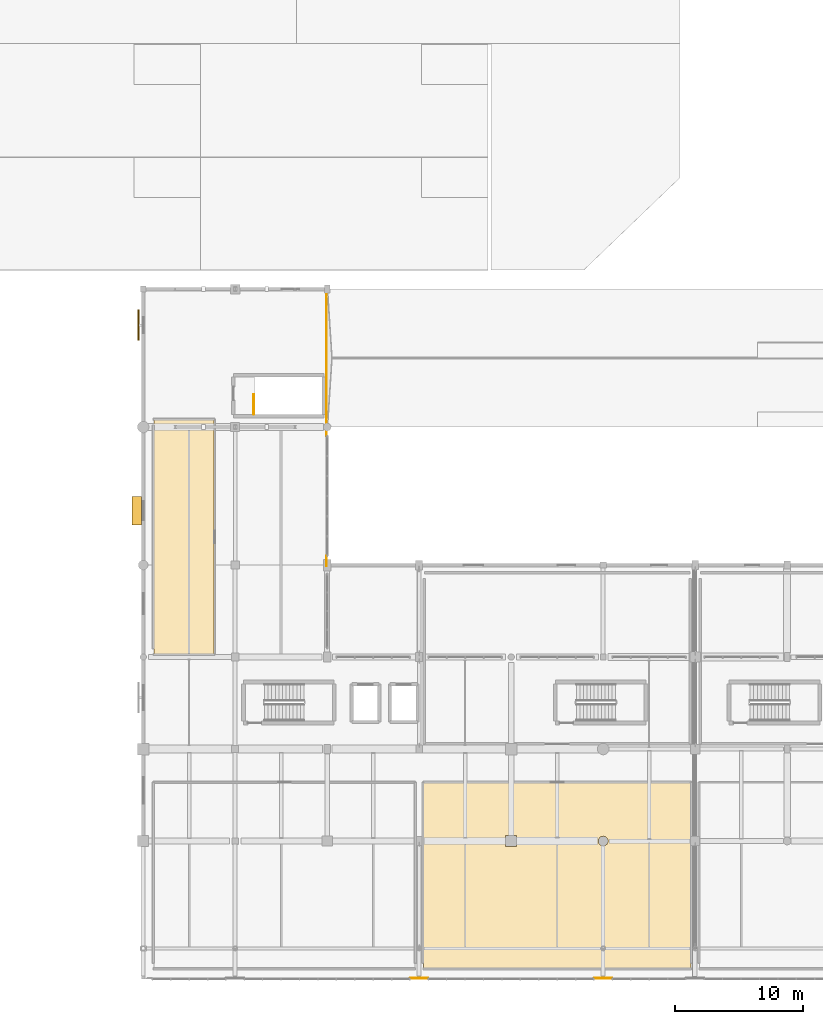
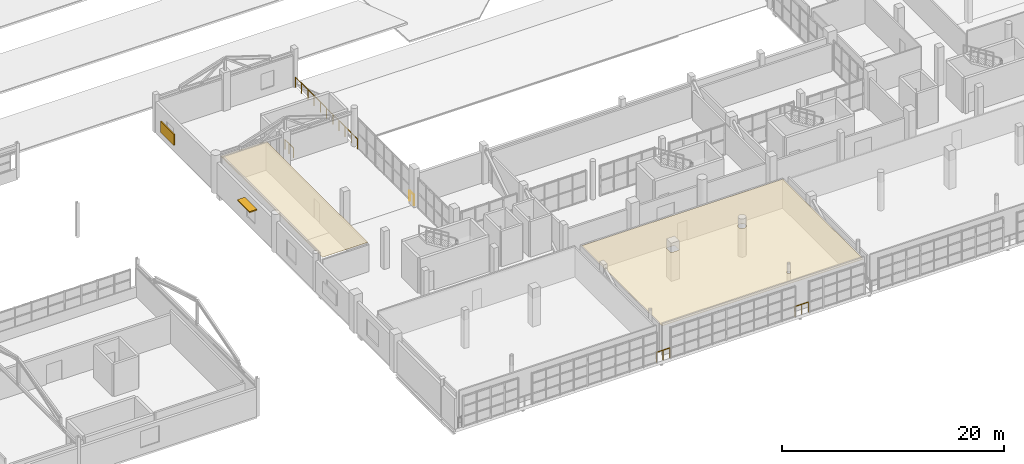
# One storey, part 84 of 90: 5 railings, 2 coverings, 2 shading devices.
"""IFC4 building model written with IfcOpenShell, lengths in metres."""

from ifc_helpers import new_model, si_unit, direction, frame, origin, origin_2d, place, context, subcontext, project, spatial, polyline, rectangle, circle, outline, extrude, material, layer, layer_set, type_object, element, save


model = new_model("IFC4")

# Units and contexts
model_context = context("Model", 3, precision=1e-05, world=origin(), true_north=direction((0.0, 1.0)))
body_context = subcontext(model_context, "Body", "Model", "MODEL_VIEW")
ifc_project = project(units=[si_unit("LENGTHUNIT", "METRE"), si_unit("AREAUNIT", "SQUARE_METRE"), si_unit("VOLUMEUNIT", "CUBIC_METRE"), si_unit("PLANEANGLEUNIT", "RADIAN"), si_unit("MASSUNIT", "GRAM", prefix="KILO")], contexts=[model_context])

# Site, building, storey
site_placement = place(None, origin())
site = spatial("IfcSite", under=ifc_project, at=site_placement, CompositionType="ELEMENT")
building_placement = place(site_placement, origin())
building = spatial("IfcBuilding", under=site, at=building_placement, Name="Solanera Park Tramway Depot", CompositionType="ELEMENT")
storey_placement = place(building_placement, frame((0.0, 0.0, 9.0)))
storey = spatial("IfcBuildingStorey", under=building, at=storey_placement, Name="L02", CompositionType="ELEMENT", Elevation=9.0)

# Coverings
ifc_material_1 = material(Name="Acoustic perforated plasterboard and mineral-fibre ceiling")
ifc_layer_1 = layer(ifc_material_1, 0.02001953125)
ifc_layer_set_1 = layer_set([ifc_layer_1], Name="Acoustic perforated plasterboard and mineral-fibre ceiling")
covering_type = type_object("IfcCoveringType", Name="Acoustic Mineral-Fibre Ceiling 20", PredefinedType="CEILING", material=ifc_layer_set_1)
covering_1_placement = place(storey_placement, frame((0.0, 0.0, 3.14990234375)))
element("IfcCovering", 1, at=covering_1_placement, inside=storey, type_object=covering_type, Name="Cantilevered Network Operations Control Theatre Acoustic Ceiling", PredefinedType="CEILING", context=body_context, shape_type="SweptSolid", body=[
    extrude(outline(polyline([(150.860107421875, 11.153076171875), (150.846923828125, 10.447021484375), (150.860107421875, 0.840087890625), (129.93994140625, 0.840087890625), (129.93994140625, 15.360107421875), (150.860107421875, 15.360107421875), (150.860107421875, 11.153076171875)]), holes=[polyline([(136.3720703125, 10.3720703125), (137.22802734375, 10.3720703125), (137.22802734375, 11.22802734375), (136.3720703125, 11.22802734375), (136.3720703125, 10.3720703125)]), polyline([(144.314208984375, 11.010009765625), (144.267333984375, 11.0673828125), (144.2099609375, 11.1142578125), (144.144775390625, 11.149169921875), (144.07373046875, 11.170654296875), (144.0, 11.177978515625), (143.92626953125, 11.170654296875), (143.855224609375, 11.149169921875), (143.7900390625, 11.1142578125), (143.732666015625, 11.0673828125), (143.685791015625, 11.010009765625), (143.65087890625, 10.944580078125), (143.62939453125, 10.873779296875), (143.6220703125, 10.800048828125), (143.62939453125, 10.726318359375), (143.65087890625, 10.6552734375), (143.685791015625, 10.590087890625), (143.732666015625, 10.53271484375), (143.7900390625, 10.485595703125), (143.855224609375, 10.45068359375), (143.92626953125, 10.42919921875), (144.0, 10.422119140625), (144.07373046875, 10.42919921875), (144.144775390625, 10.45068359375), (144.2099609375, 10.485595703125), (144.267333984375, 10.53271484375), (144.314208984375, 10.590087890625), (144.34912109375, 10.6552734375), (144.37060546875, 10.726318359375), (144.3779296875, 10.800048828125), (144.37060546875, 10.873779296875), (144.34912109375, 10.944580078125), (144.314208984375, 11.010009765625)]), polyline([(144.17724609375, 2.435302734375), (144.150390625, 2.50048828125), (144.100341796875, 2.55029296875), (144.035400390625, 2.577392578125), (143.964599609375, 2.577392578125), (143.899658203125, 2.55029296875), (143.849609375, 2.50048828125), (143.82275390625, 2.435302734375), (143.82275390625, 2.36474609375), (143.849609375, 2.299560546875), (143.899658203125, 2.249755859375), (143.964599609375, 2.22265625), (144.035400390625, 2.22265625), (144.100341796875, 2.249755859375), (144.150390625, 2.299560546875), (144.17724609375, 2.36474609375), (144.17724609375, 2.435302734375)])]), origin(), (0.0, 0.0, 1.0), 0.02001953125),
])
covering_2_placement = place(storey_placement, frame((0.0, 0.0, 3.14990234375)))
element("IfcCovering", 2, at=covering_2_placement, inside=storey, type_object=covering_type, Name="Timetabling and Network Planning Studio Acoustic Ceiling", PredefinedType="CEILING", context=body_context, shape_type="SweptSolid", body=[
    extrude(outline(polyline([(113.56005859375, 25.43994140625), (108.840087890625, 25.43994140625), (108.840087890625, 43.760009765625), (113.56005859375, 43.760009765625), (113.56005859375, 25.43994140625)])), origin(), (0.0, 0.0, 1.0), 0.02001953125),
])

# Railings
ifc_material_2 = material(Name="Powder-coated galvanised steel balustrade", Category="steel")
ifc_layer_2 = layer(ifc_material_2, 0.06005859375)
ifc_layer_set_2 = layer_set([ifc_layer_2], Name="Powder-coated galvanised steel balustrade")
railing_type_1 = type_object("IfcRailingType", Name="Classical Wrought-Style Balustrade 1120", PredefinedType="BALUSTRADE", material=ifc_layer_set_2)
railing_1_placement = place(storey_placement, frame((122.340087890625, 53.679931640625, 0.0)))
element("IfcRailing", 3, at=railing_1_placement, inside=storey, type_object=railing_type_1, Name="L02 Perimeter Deck Balustrade #034", PredefinedType="BALUSTRADE", context=body_context, shape_type="SweptSolid", body=[
    extrude(circle(Radius=0.02392578125, at=origin_2d()), frame((0.0, 0.0, 1.09619140625), z_axis=(0.0, -1.0, 0.0), x_axis=(1.0, 0.0, 0.0)), (0.0, 0.0, 1.0), 11.179931640625),
    extrude(circle(Radius=0.02099609375, at=origin_2d()), origin(), (0.0, 0.0, 1.0), 1.072021484375),
    extrude(circle(Radius=0.02099609375, at=origin_2d()), frame((0.0, -1.117919921875, 0.0)), (0.0, 0.0, 1.0), 1.072021484375),
    extrude(circle(Radius=0.02099609375, at=origin_2d()), frame((0.0, -2.236083984375, 0.0)), (0.0, 0.0, 1.0), 1.072021484375),
    extrude(circle(Radius=0.02099609375, at=origin_2d()), frame((0.0, -3.35400390625, 0.0)), (0.0, 0.0, 1.0), 1.072021484375),
    extrude(circle(Radius=0.02099609375, at=origin_2d()), frame((0.0, -4.471923828125, 0.0)), (0.0, 0.0, 1.0), 1.072021484375),
    extrude(circle(Radius=0.02099609375, at=origin_2d()), frame((0.0, -5.58984375, 0.0)), (0.0, 0.0, 1.0), 1.072021484375),
    extrude(circle(Radius=0.02099609375, at=origin_2d()), frame((0.0, -6.7080078125, 0.0)), (0.0, 0.0, 1.0), 1.072021484375),
    extrude(circle(Radius=0.02099609375, at=origin_2d()), frame((0.0, -7.825927734375, 0.0)), (0.0, 0.0, 1.0), 1.072021484375),
    extrude(circle(Radius=0.02099609375, at=origin_2d()), frame((0.0, -8.94384765625, 0.0)), (0.0, 0.0, 1.0), 1.072021484375),
    extrude(circle(Radius=0.02099609375, at=origin_2d()), frame((0.0, -10.06201171875, 0.0)), (0.0, 0.0, 1.0), 1.072021484375),
    extrude(circle(Radius=0.02099609375, at=origin_2d()), frame((0.0, -11.179931640625, 0.0)), (0.0, 0.0, 1.0), 1.072021484375),
])
railing_2_placement = place(storey_placement, frame((122.340087890625, 33.10009765625, 0.0)))
element("IfcRailing", 4, at=railing_2_placement, inside=storey, type_object=railing_type_1, Name="L02 Perimeter Deck Balustrade #035", PredefinedType="BALUSTRADE", context=body_context, shape_type="SweptSolid", body=[
    extrude(circle(Radius=0.02392578125, at=origin_2d()), frame((0.0, 0.0, 1.09619140625), z_axis=(0.0, -1.0, 0.0), x_axis=(1.0, 0.0, 0.0)), (0.0, 0.0, 1.0), 0.760009765625),
    extrude(circle(Radius=0.02099609375, at=origin_2d()), origin(), (0.0, 0.0, 1.0), 1.072021484375),
    extrude(circle(Radius=0.02099609375, at=origin_2d()), frame((0.0, -0.760009765625, 0.0)), (0.0, 0.0, 1.0), 1.072021484375),
])
railing_3_placement = place(storey_placement, frame((144.699951171875, 0.06005859375, 0.0)))
element("IfcRailing", 5, at=railing_3_placement, inside=storey, type_object=railing_type_1, Name="L02 Perimeter Deck Balustrade #038", PredefinedType="BALUSTRADE", context=body_context, shape_type="SweptSolid", body=[
    extrude(circle(Radius=0.02392578125, at=origin_2d()), frame((0.0, 0.0, 1.09619140625), z_axis=(-1.0, 0.0, 0.0), x_axis=(0.0, -1.0, 0.0)), (0.0, 0.0, 1.0), 1.39990234375),
    extrude(circle(Radius=0.02099609375, at=origin_2d()), origin(), (0.0, 0.0, 1.0), 1.072021484375),
    extrude(circle(Radius=0.02099609375, at=origin_2d()), frame((-0.699951171875, 0.0, 0.0)), (0.0, 0.0, 1.0), 1.072021484375),
    extrude(circle(Radius=0.02099609375, at=origin_2d()), frame((-1.39990234375, 0.0, 0.0)), (0.0, 0.0, 1.0), 1.072021484375),
])
railing_4_placement = place(storey_placement, frame((130.300048828125, 0.06005859375, 0.0)))
element("IfcRailing", 6, at=railing_4_placement, inside=storey, type_object=railing_type_1, Name="L02 Perimeter Deck Balustrade #039", PredefinedType="BALUSTRADE", context=body_context, shape_type="SweptSolid", body=[
    extrude(circle(Radius=0.02392578125, at=origin_2d()), frame((0.0, 0.0, 1.09619140625), z_axis=(-1.0, 0.0, 0.0), x_axis=(0.0, -1.0, 0.0)), (0.0, 0.0, 1.0), 1.400146484375),
    extrude(circle(Radius=0.02099609375, at=origin_2d()), origin(), (0.0, 0.0, 1.0), 1.072021484375),
    extrude(circle(Radius=0.02099609375, at=origin_2d()), frame((-0.7001953125, 0.0, 0.0)), (0.0, 0.0, 1.0), 1.072021484375),
    extrude(circle(Radius=0.02099609375, at=origin_2d()), frame((-1.400146484375, 0.0, 0.0)), (0.0, 0.0, 1.0), 1.072021484375),
])
ifc_material_3 = material(Name="Steel AS/NZS 1163 Grade C350L0", Category="steel")
ifc_layer_3 = layer(ifc_material_3, 0.06005859375)
ifc_layer_set_3 = layer_set([ifc_layer_3], Name="Steel AS/NZS 1163 Grade C350L0")
railing_type_2 = type_object("IfcRailingType", Name="Stairwell Guardrail 1100", PredefinedType="GUARDRAIL", material=ifc_layer_set_3)
railing_5_placement = place(storey_placement, frame((116.64990234375, 44.199951171875, 0.0)))
element("IfcRailing", 7, at=railing_5_placement, inside=storey, type_object=railing_type_2, Name="ST-07 Top Landing Guard 1", PredefinedType="GUARDRAIL", context=body_context, shape_type="SweptSolid", body=[
    extrude(circle(Radius=0.02392578125, at=origin_2d()), frame((0.0, 0.0, 1.076171875), z_axis=(0.0, 1.0, 0.0), x_axis=(-1.0, 0.0, 0.0)), (0.0, 0.0, 1.0), 1.550048828125),
    extrude(circle(Radius=0.02099609375, at=origin_2d()), origin(), (0.0, 0.0, 1.0), 1.052001953125),
    extrude(circle(Radius=0.02099609375, at=origin_2d()), frame((0.0, 0.77490234375, 0.0)), (0.0, 0.0, 1.0), 1.052001953125),
    extrude(circle(Radius=0.02099609375, at=origin_2d()), frame((0.0, 1.550048828125, 0.0)), (0.0, 0.0, 1.0), 1.052001953125),
])

# Shading devices
ifc_material_4 = material(Name="Extruded terracotta brise-soleil hood", Category="masonry")
shading_device_type_1 = type_object("IfcShadingDeviceType", Name="Terracotta Brise-Soleil Sunshade Hood 2200x750", PredefinedType="USERDEFINED", material=ifc_material_4)
shading_device_1_placement = place(storey_placement, frame((107.485107421875, 36.64990234375, 2.530029296875), z_axis=(0.0, 0.0, 1.0), x_axis=(0.0, -1.0, 0.0)))
element("IfcShadingDevice", 8, at=shading_device_1_placement, inside=storey, type_object=shading_device_type_1, Name="Terracotta Brise-Soleil Sunshade #029", ObjectType="SUNSHADE", PredefinedType="USERDEFINED", context=body_context, shape_type="SweptSolid", body=[
    extrude(rectangle(XDim=2.199951171875, YDim=0.75, at=origin_2d()), origin(), (0.0, 0.0, 1.0), 0.1201171875),
])
ifc_material_5 = material(Name="Powder-coated aluminium aerofoil louvre", Category="aluminium")
shading_device_type_2 = type_object("IfcShadingDeviceType", Name="Timber-Look Aluminium Jalousie Louvre 2400x1200", PredefinedType="JALOUSIE", material=ifc_material_5)
shading_device_2_placement = place(storey_placement, frame((107.6201171875, 51.175048828125, 1.02978515625), z_axis=(0.0, 0.0, 1.0), x_axis=(0.0, -1.0, 0.0)))
element("IfcShadingDevice", 9, at=shading_device_2_placement, inside=storey, type_object=shading_device_type_2, Name="Jalousie Louvre Screen #028", PredefinedType="JALOUSIE", context=body_context, shape_type="SweptSolid", body=[
    extrude(rectangle(XDim=2.39990234375, YDim=0.1201171875, at=origin_2d()), origin(), (0.0, 0.0, 1.0), 1.199951171875),
])

save(model, "model.ifc")
